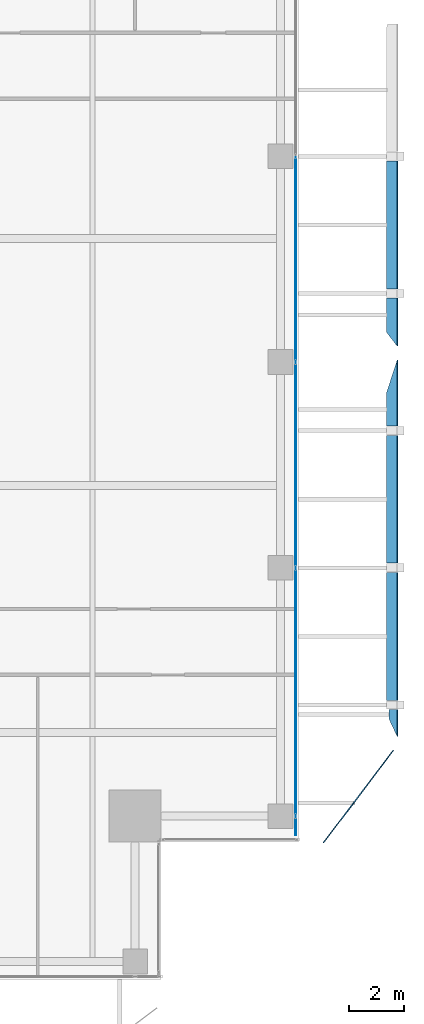
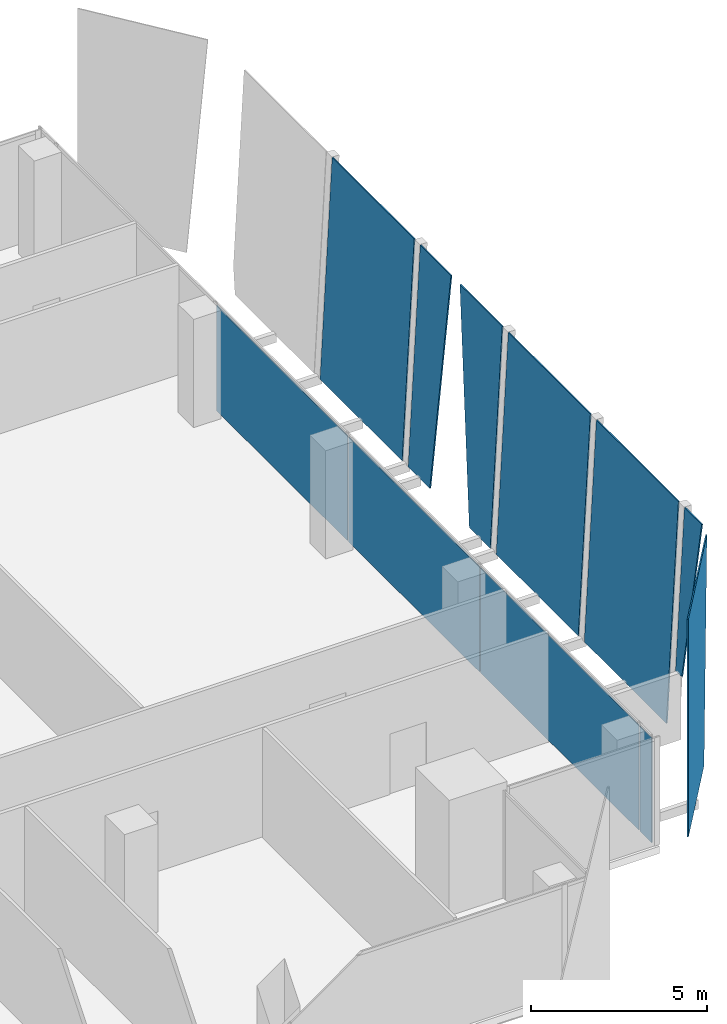
# One storey, part 25 of 35: 11 plates, 1 element without a shape of its own.
"""IFC4 building model written with IfcOpenShell, lengths in metres."""

import ifcopenshell
import ifcopenshell.guid

model = None  # the IFC model being written
_history = None  # IfcOwnerHistory: only IFC2X3 demands one
_inside = {}  # id of a spatial element -> (the spatial element, [elements in it])
_under = {}  # id of a project, library or spatial element -> (it, [spatial elements below it])
_declared = {}  # id of a project -> (the project, [libraries it declares])
_typed = {}  # id of a type object -> (the type object, [elements of that type])
_made_of = {}  # id of a material, layer set ... -> (it, [elements and type objects made of it])


def new_model(schema):
    """Start an empty IFC model of exactly this schema.

    Asked for "IFC4X3", IfcOpenShell would pick the latest addendum, in which some entities
    have other attributes; the version numbers below select the first issue.
    IFC2X3 requires an IfcOwnerHistory on every rooted entity: one is made here for all.
    """
    global model, _history
    if schema == "IFC4X3":
        model = ifcopenshell.file(schema_version=(4, 3, 0, 0))
    else:
        model = ifcopenshell.file(schema=schema)
    _inside.clear()
    _under.clear()
    _declared.clear()
    _typed.clear()
    _made_of.clear()
    _history = None
    if model.schema == "IFC2X3":
        org = make("IfcOrganization", Name="unknown")
        user = make(
            "IfcPersonAndOrganization",
            ThePerson=make("IfcPerson", FamilyName="unknown"),
            TheOrganization=org,
        )
        app = make(
            "IfcApplication",
            ApplicationDeveloper=org,
            Version="unknown",
            ApplicationFullName="unknown",
            ApplicationIdentifier="unknown",
        )
        _history = make(
            "IfcOwnerHistory",
            OwningUser=user,
            OwningApplication=app,
            ChangeAction="ADDED",
            CreationDate=0,
        )
    return model


def make(cls, **values):
    """One entity of the class cls with the attributes given. An attribute that is None is left unset."""
    return model.create_entity(
        cls, **{name: value for name, value in values.items() if value is not None}
    )


def rooted(cls, **values):
    """An entity with a GlobalId (a new one), such as an element, a storey or a relation."""
    return make(cls, GlobalId=ifcopenshell.guid.new(), OwnerHistory=_history, **values)


def si_unit(unit_type, name, prefix=None):
    """IfcSIUnit, for example si_unit("LENGTHUNIT", "METRE", prefix="MILLI")."""
    return make("IfcSIUnit", UnitType=unit_type, Prefix=prefix, Name=name)


def assignment(units):
    """IfcUnitAssignment: the units of a project."""
    return None if units is None else make("IfcUnitAssignment", Units=units)


def point(xyz):
    """IfcCartesianPoint."""
    return None if xyz is None else make("IfcCartesianPoint", Coordinates=xyz)


def direction(xyz):
    """IfcDirection."""
    return None if xyz is None else make("IfcDirection", DirectionRatios=xyz)


def frame(location, z_axis=None, x_axis=None):
    """IfcAxis2Placement3D, a coordinate frame: its origin and axes. An axis left out is left unset."""
    return make(
        "IfcAxis2Placement3D",
        Location=point(location),
        Axis=direction(z_axis),
        RefDirection=direction(x_axis),
    )


def frame_2d(location, x_axis=None):
    """IfcAxis2Placement2D, a coordinate frame in the plane: its origin and x axis."""
    return make(
        "IfcAxis2Placement2D", Location=point(location), RefDirection=direction(x_axis)
    )


def origin():
    """The frame at (0, 0, 0) with its axes left unset."""
    return frame((0.0, 0.0, 0.0))


def origin_2d():
    """The frame at (0, 0) in the plane with its x axis left unset."""
    return frame_2d((0.0, 0.0))


def place(relative_to, where):
    """IfcLocalPlacement: puts the frame where relative to a parent placement (None: the world)."""
    return make(
        "IfcLocalPlacement", PlacementRelTo=relative_to, RelativePlacement=where
    )


def context(
    kind, dimensions, precision=None, world=None, true_north=None, identifier=None
):
    """IfcGeometricRepresentationContext, for example the 3D "Model" context."""
    return make(
        "IfcGeometricRepresentationContext",
        ContextIdentifier=identifier,
        ContextType=kind,
        CoordinateSpaceDimension=dimensions,
        Precision=precision,
        WorldCoordinateSystem=world,
        TrueNorth=true_north,
    )


def subcontext(parent, identifier, kind, view, scale=None):
    """IfcGeometricRepresentationSubContext, for example "Body" below "Model"."""
    return make(
        "IfcGeometricRepresentationSubContext",
        ContextIdentifier=identifier,
        ContextType=kind,
        ParentContext=parent,
        TargetScale=scale,
        TargetView=view,
    )


def project(units=None, contexts=None):
    """IfcProject with its units and contexts."""
    return rooted(
        "IfcProject",
        Name="project",
        RepresentationContexts=contexts,
        UnitsInContext=assignment(units),
    )


def spatial(cls, under=None, at=None, **own):
    """A site, building, storey or space (cls), placed at a placement, below another one or the project."""
    s = rooted(cls, ObjectPlacement=at, **own)
    if under is not None:
        _under.setdefault(under.id(), (under, []))[1].append(s)
    return s


def polyline(points):
    """IfcPolyline through the points."""
    return make("IfcPolyline", Points=[point(p) for p in points])


def profile(cls, at=None, kind="AREA", **sizes):
    """A parametric profile (cls). Its sizes go by their IFC names, for example OverallWidth=200.0."""
    return make(cls, ProfileType=kind, Position=at, **sizes)


def rectangle(**sizes):
    """IfcRectangleProfileDef."""
    return profile("IfcRectangleProfileDef", **sizes)


def outline(outer, holes=None, kind="AREA"):
    """IfcArbitraryClosedProfileDef: a profile drawn as a closed curve; with holes, ...WithVoids."""
    if holes is None:
        return make("IfcArbitraryClosedProfileDef", ProfileType=kind, OuterCurve=outer)
    return make(
        "IfcArbitraryProfileDefWithVoids",
        ProfileType=kind,
        OuterCurve=outer,
        InnerCurves=holes,
    )


def extrude(swept, where, along, depth):
    """IfcExtrudedAreaSolid: the profile swept, set in the frame where, extruded along a direction by depth."""
    return make(
        "IfcExtrudedAreaSolid",
        SweptArea=swept,
        Position=where,
        ExtrudedDirection=direction(along),
        Depth=depth,
    )


def shape(context_of_items, identifier, shape_type, items):
    """IfcShapeRepresentation: the items that make up one representation, for example the "Body"."""
    return make(
        "IfcShapeRepresentation",
        ContextOfItems=context_of_items,
        RepresentationIdentifier=identifier,
        RepresentationType=shape_type,
        Items=items,
    )


def source(mapping_origin, context_of_items, identifier, shape_type, items):
    """IfcRepresentationMap: a shape defined once, which mapped items show again and again."""
    return make(
        "IfcRepresentationMap",
        MappingOrigin=mapping_origin,
        MappedRepresentation=shape(context_of_items, identifier, shape_type, items),
    )


def transform(
    local_origin,
    x_axis=None,
    y_axis=None,
    z_axis=None,
    scale=None,
    scale2=None,
    scale3=None,
    uniform=True,
):
    """IfcCartesianTransformationOperator3D, or its non-uniform kind. x_axis, y_axis, z_axis: its Axis1, 2, 3."""
    if uniform:
        return make(
            "IfcCartesianTransformationOperator3D",
            Axis1=direction(x_axis),
            Axis2=direction(y_axis),
            LocalOrigin=point(local_origin),
            Scale=scale,
            Axis3=direction(z_axis),
        )
    return make(
        "IfcCartesianTransformationOperator3DnonUniform",
        Axis1=direction(x_axis),
        Axis2=direction(y_axis),
        LocalOrigin=point(local_origin),
        Scale=scale,
        Axis3=direction(z_axis),
        Scale2=scale2,
        Scale3=scale3,
    )


def mapped(mapping_source, mapping_target):
    """IfcMappedItem: shows the shape of a source again, moved by a transform."""
    return make(
        "IfcMappedItem", MappingSource=mapping_source, MappingTarget=mapping_target
    )


def material(Name=None, Category=None):
    """IfcMaterial."""
    return make("IfcMaterial", Name=Name, Category=Category)


def layer(
    of_material, thickness, ventilated=None, Name=None, Category=None, Priority=None
):
    """IfcMaterialLayer: one layer of a wall or slab, of a material (None: an air gap)."""
    return make(
        "IfcMaterialLayer",
        Material=of_material,
        LayerThickness=thickness,
        IsVentilated=ventilated,
        Name=Name,
        Category=Category,
        Priority=Priority,
    )


def layer_set(layers, Name=None):
    """IfcMaterialLayerSet."""
    return make("IfcMaterialLayerSet", MaterialLayers=layers, LayerSetName=Name)


def made_of(thing, what):
    """Note that an element or type object is made of a material, layer set ...; save() writes the relation."""
    if what is not None:
        _made_of.setdefault(what.id(), (what, []))[1].append(thing)
    return thing


def type_object(cls, material=None, **own):
    """A type object (cls), such as IfcWallType, which elements share."""
    return made_of(rooted(cls, **own), material)


def element(
    cls,
    number,
    at=None,
    inside=None,
    cuts=None,
    type_object=None,
    material=None,
    context=None,
    identifier="Body",
    shape_type=None,
    held_by="IfcProductDefinitionShape",
    body=None,
    shapes=None,
    **own,
):
    """One element of the class cls, such as IfcWall. Its Tag is "e" and its number.

    at: its placement. inside: the storey or other place that contains it. cuts: it is an
    opening in that element (IfcRelVoidsElement). A single representation is given by context,
    identifier, shape_type and body (its items); several are given by shapes. held_by: the class
    of the entity that holds the representations. save() writes the other relations.
    """
    e = rooted(cls, Tag="e%d" % number, ObjectPlacement=at, **own)
    if body is not None:
        shapes = [shape(context, identifier, shape_type, body)]
    if shapes is not None:
        e.Representation = make(held_by, Representations=shapes)
    if inside is not None:
        _inside.setdefault(inside.id(), (inside, []))[1].append(e)
    if cuts is not None:
        rooted(
            "IfcRelVoidsElement", RelatingBuildingElement=cuts, RelatedOpeningElement=e
        )
    if type_object is not None:
        _typed.setdefault(type_object.id(), (type_object, []))[1].append(e)
    return made_of(e, material)


def aggregate(whole, parts):
    """IfcRelAggregates: a whole, such as a stair, and the parts it consists of."""
    return rooted("IfcRelAggregates", RelatingObject=whole, RelatedObjects=parts)


def save(model, path):
    """Write the relations noted so far, then the file.

    IfcRelAggregates (storeys below a building ...), IfcRelContainedInSpatialStructure (elements
    in a storey), IfcRelDefinesByType, IfcRelAssociatesMaterial and IfcRelDeclares: one each for
    every whole, place, type object, material and project.
    """
    for whole, parts in _under.values():
        aggregate(whole, parts)
    for where, things in _inside.values():
        rooted(
            "IfcRelContainedInSpatialStructure",
            RelatedElements=things,
            RelatingStructure=where,
        )
    for kind, things in _typed.values():
        rooted("IfcRelDefinesByType", RelatedObjects=things, RelatingType=kind)
    for what, things in _made_of.values():
        rooted("IfcRelAssociatesMaterial", RelatedObjects=things, RelatingMaterial=what)
    for by, libraries in _declared.values():
        rooted("IfcRelDeclares", RelatingContext=by, RelatedDefinitions=libraries)
    model.write(path)


model = new_model("IFC4")

# Units and contexts
model_context = context("Model", 3, precision=1e-05, world=origin(), true_north=direction((0.0, 1.0)))
body_context = subcontext(model_context, "Body", "Model", "MODEL_VIEW")
ifc_project = project(units=[si_unit("LENGTHUNIT", "METRE"), si_unit("AREAUNIT", "SQUARE_METRE"), si_unit("VOLUMEUNIT", "CUBIC_METRE"), si_unit("PLANEANGLEUNIT", "RADIAN"), si_unit("MASSUNIT", "GRAM", prefix="KILO")], contexts=[model_context])

# Site, building, storey
site_placement = place(None, origin())
site = spatial("IfcSite", under=ifc_project, at=site_placement, CompositionType="ELEMENT")
building_placement = place(site_placement, origin())
building = spatial("IfcBuilding", under=site, at=building_placement, Name="Khomas Fold Tower", CompositionType="ELEMENT")
storey_placement = place(building_placement, frame((0.0, 0.0, 266.199951171875)))
storey = spatial("IfcBuildingStorey", under=building, at=storey_placement, Name="L60", CompositionType="ELEMENT", Elevation=266.199951171875)

# Plates
ifc_material_1 = material(Name="Clear laminated glass", Category="glass")
ifc_layer_1 = layer(ifc_material_1, 0.0400390625)
ifc_layer_set_1 = layer_set([ifc_layer_1], Name="Clear laminated glass")
plate_type_1 = type_object("IfcPlateType", Name="SK-Clear laminated glass leaf", PredefinedType="SHEET", material=ifc_layer_set_1)
plate_1_placement = place(storey_placement, frame((52.586181640625, 12.321533203125, 0.0), z_axis=(0.797311862854, -0.603567554845, 9.586372e-06), x_axis=(-0.603567554872, -0.79731186289, 1.94e-10)))
element("IfcPlate", 1, at=plate_1_placement, inside=storey, type_object=plate_type_1, Name="OUTER SKIN glass L60 EG098-1", PredefinedType="SHEET", context=body_context, shape_type="SweptSolid", body=[
    extrude(outline(polyline([(0.0, 0.0), (3.569176557139058, 6.776263578034403e-21), (3.569176558606767, -7.550048827778081), (-0.6554746414378296, -7.55004882929318), (0.0, 0.0)])), origin(), (0.0, 0.0, -1.0), 0.0400390625),
])
plate_2_placement = place(storey_placement, frame((53.1015625, 13.351806640625, 7.550048828125), z_axis=(-0.998630420935, 0.0, 0.05231904418), x_axis=(0.0, 1.0, 0.0)))
element("IfcPlate", 2, at=plate_2_placement, inside=storey, type_object=plate_type_1, Name="OUTER SKIN glass L60 EG098-2", PredefinedType="SHEET", context=body_context, shape_type="SweptSolid", body=[
    extrude(outline(polyline([(0.0, 0.0), (0.978271484375, 0.0), (0.978271484375, 5.557660483575559), (0.62451171875, 5.557660483575559), (0.0, 0.0)])), origin(), (0.0, 0.0, -1.0), 0.0400390625),
])
for number, where, z_axis, x_axis, name in (
    (3, (52.7060546875, 14.669921875, 0.0), (-0.998630733741, 0.0, 0.052313073198), (0.052313073198, 0.0, 0.998630733741), "OUTER SKIN glass L60 EG099-4"),
    (4, (52.7060546875, 19.669921875, 0.0), (-0.998630733741, 0.0, 0.052313073198), (0.052313073198, 0.0, 0.998630733741), "OUTER SKIN glass L60 EG100-6"),
):
    element("IfcPlate", number, at=place(storey_placement, frame(where, z_axis=z_axis, x_axis=x_axis)), inside=storey, type_object=plate_type_1, Name=name, PredefinedType="SHEET", context=body_context, shape_type="SweptSolid", body=[
        extrude(outline(polyline([(0.0, 0.0), (7.560401030158403, 0.0), (7.560401030158403, 4.66015625), (0.0, 4.66015625), (0.0, 0.0)])), origin(), (0.0, 0.0, -1.0), 0.0400390625),
    ])
plate_3_placement = place(storey_placement, frame((52.7060546875, 25.85595703125, 0.0), z_axis=(-0.998630733741, 0.0, 0.052313073198), x_axis=(0.0, -1.0, 0.0)))
element("IfcPlate", 5, at=plate_3_placement, inside=storey, type_object=plate_type_1, Name="OUTER SKIN glass L60 EG101-8", PredefinedType="SHEET", context=body_context, shape_type="SweptSolid", body=[
    extrude(outline(polyline([(0.0, 0.0), (1.18603515625, 0.0), (1.18603515625, 7.560401030158402), (-1.2197265625, 7.560401030158402), (0.0, 0.0)])), origin(), (0.0, 0.0, -1.0), 0.0400390625),
])
plate_4_placement = place(storey_placement, frame((52.7060546875, 28.097412109375, 0.0), z_axis=(-0.998630733741, 0.0, 0.052313073198), x_axis=(0.052192061704, -0.067978549503, 0.996320684068)))
element("IfcPlate", 6, at=plate_4_placement, inside=storey, type_object=plate_type_1, Name="OUTER SKIN glass L60 EG101-9", PredefinedType="SHEET", context=body_context, shape_type="SweptSolid", body=[
    extrude(outline(polyline([(0.0, 0.0), (7.577930428278208, -1.1102230246251565e-16), (7.459117333577788, 1.7437596872322847), (-0.08379484776399247, 1.2298145915401322), (0.0, 0.0)])), origin(), (0.0, 0.0, -1.0), 0.0400390625),
])
plate_5_placement = place(storey_placement, frame((52.7060546875, 29.669921875, 0.0), z_axis=(-0.998630733741, 0.0, 0.052313073198), x_axis=(0.052313073198, 0.0, 0.998630733741)))
element("IfcPlate", 7, at=plate_5_placement, inside=storey, type_object=plate_type_1, Name="OUTER SKIN glass L60 EG102-11", PredefinedType="SHEET", context=body_context, shape_type="SweptSolid", body=[
    extrude(outline(polyline([(0.0, 0.0), (7.560401030158403, 0.0), (7.560401030158403, 4.66015625), (0.0, 4.66015625), (0.0, 0.0)])), origin(), (0.0, 0.0, -1.0), 0.0400390625),
])

# Curtain wall, plates
ifc_material_2 = material(Name="Aluminium framed double glazing", Category="aluminium")
curtain_wall_type = type_object("IfcCurtainWallType", Name="SK-Unitised clear-glass wall, office floors CW2", PredefinedType="NOTDEFINED", material=ifc_material_2)
curtain_wall_placement = place(storey_placement, origin())
curtain_wall = element("IfcCurtainWall", 8, at=curtain_wall_placement, inside=storey, type_object=curtain_wall_type, Name="CW2 run L60 03-0", PredefinedType="NOTDEFINED")
ifc_material_3 = material(Name="Clear double glazed unit")
ifc_layer_2 = layer(ifc_material_3, 0.030029296875)
ifc_layer_set_2 = layer_set([ifc_layer_2], Name="Clear double glazed unit")
plate_type_2 = type_object("IfcPlateType", Name="SK-Unitised clear-glass wall, office floors glass panel CW2-P", PredefinedType="CURTAIN_PANEL", material=ifc_layer_set_2)
shared_shape_1 = source(origin(), body_context, "Body", "SweptSolid", [
    extrude(rectangle(XDim=0.659912109375, YDim=0.030029296875, at=origin_2d()), origin(), (0.0, 0.0, 1.0), 3.639892578125),
])
plate_6_placement = place(storey_placement, frame((49.39990234375, 10.090087890625, 0.0), z_axis=(0.0, 0.0, 1.0), x_axis=(0.0, 1.0, 0.0)))
plate_6 = element("IfcPlate", 9, at=plate_6_placement, type_object=plate_type_2, Name="CW2 glass panel 1", PredefinedType="CURTAIN_PANEL", context=body_context, shape_type="MappedRepresentation", body=[
    mapped(shared_shape_1, transform((0.0, 0.0, 0.0))),
])
shared_shape_2 = source(origin(), body_context, "Body", "SweptSolid", [
    extrude(rectangle(XDim=7.43994140625, YDim=0.030029296875, at=origin_2d()), origin(), (0.0, 0.0, 1.0), 3.639892578125),
])
plate_7_placement = place(storey_placement, frame((49.39990234375, 23.25, 0.0), z_axis=(0.0, 0.0, 1.0), x_axis=(0.0, 1.0, 0.0)))
plate_7 = element("IfcPlate", 10, at=plate_7_placement, type_object=plate_type_2, Name="CW2 glass panel 3", PredefinedType="CURTAIN_PANEL", context=body_context, shape_type="MappedRepresentation", body=[
    mapped(shared_shape_2, transform((0.0, 0.0, 0.0))),
])
plate_8_placement = place(storey_placement, frame((49.39990234375, 30.75, 0.0), z_axis=(0.0, 0.0, 1.0), x_axis=(0.0, 1.0, 0.0)))
plate_8 = element("IfcPlate", 11, at=plate_8_placement, type_object=plate_type_2, Name="CW2 glass panel 4", PredefinedType="CURTAIN_PANEL", context=body_context, shape_type="MappedRepresentation", body=[
    mapped(shared_shape_2, transform((0.0, 0.0, 0.0))),
])
shared_shape_3 = source(origin(), body_context, "Body", "SweptSolid", [
    extrude(rectangle(XDim=8.989990234375, YDim=0.030029296875, at=origin_2d()), origin(), (0.0, 0.0, 1.0), 3.639892578125),
])
plate_9_placement = place(storey_placement, frame((49.39990234375, 14.97509765625, 0.0), z_axis=(0.0, 0.0, 1.0), x_axis=(0.0, 1.0, 0.0)))
plate_9 = element("IfcPlate", 12, at=plate_9_placement, type_object=plate_type_2, Name="CW2 glass panel 2", PredefinedType="CURTAIN_PANEL", context=body_context, shape_type="MappedRepresentation", body=[
    mapped(shared_shape_3, transform((0.0, 0.0, 0.0))),
])
aggregate(curtain_wall, [plate_6, plate_9, plate_7, plate_8])

save(model, "model.ifc")
